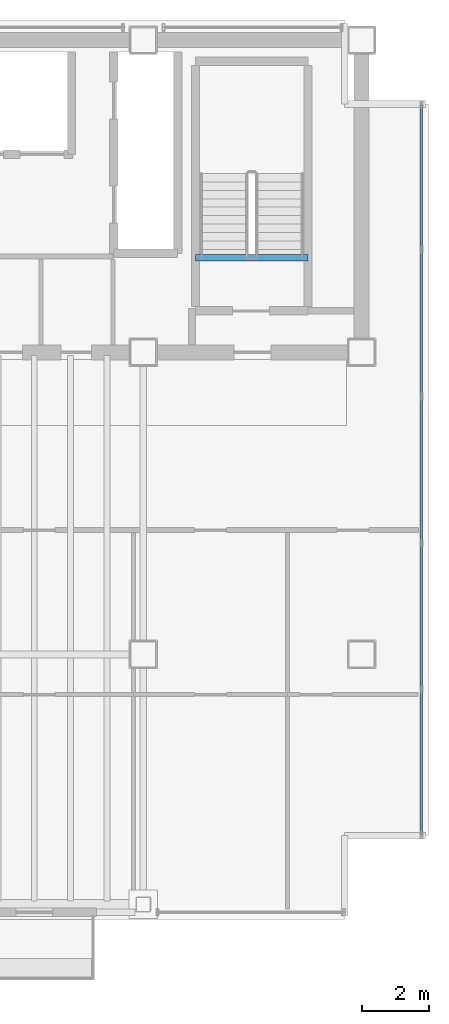
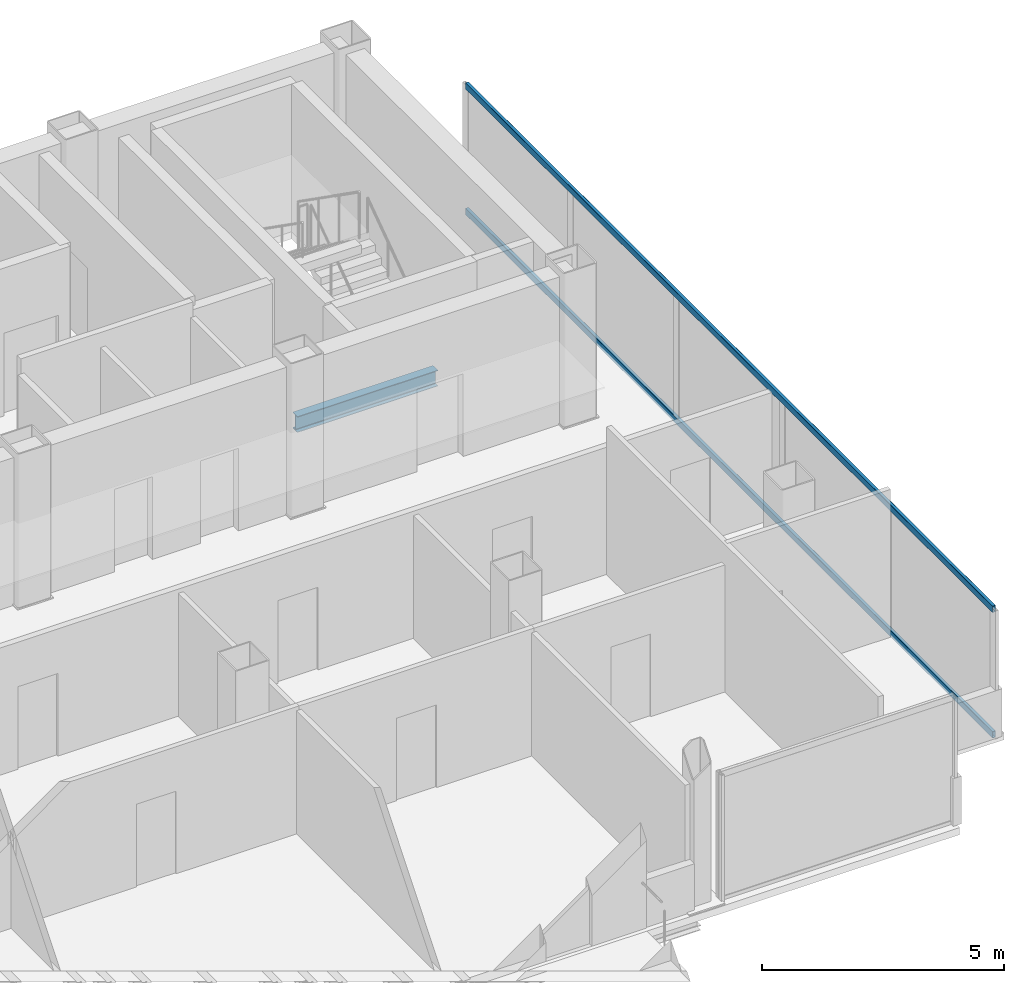
# One storey, part 11 of 17: 2 members, 1 beam, 1 element without a shape of its own.
"""IFC4 building model written with IfcOpenShell, lengths in metres."""

from ifc_helpers import new_model, si_unit, direction, frame, origin, origin_2d, place, context, subcontext, project, spatial, hollow_rectangle, i_section, extrude, material, material_profile, profile_set, type_object, element, aggregate, save


model = new_model("IFC4")

# Units and contexts
model_context = context("Model", 3, precision=1e-05, world=origin(), true_north=direction((0.0, 1.0)))
body_context = subcontext(model_context, "Body", "Model", "MODEL_VIEW")
ifc_project = project(units=[si_unit("LENGTHUNIT", "METRE"), si_unit("AREAUNIT", "SQUARE_METRE"), si_unit("VOLUMEUNIT", "CUBIC_METRE"), si_unit("PLANEANGLEUNIT", "RADIAN"), si_unit("MASSUNIT", "GRAM", prefix="KILO")], contexts=[model_context])

# Site, building, storey
site_placement = place(None, origin())
site = spatial("IfcSite", under=ifc_project, at=site_placement, CompositionType="ELEMENT")
building_placement = place(site_placement, origin())
building = spatial("IfcBuilding", under=site, at=building_placement, Name="Noeulbin Bourse Tower", CompositionType="ELEMENT")
storey_placement = place(building_placement, frame((0.0, 0.0, 246.199951171875)))
storey = spatial("IfcBuildingStorey", under=building, at=storey_placement, Name="L61", CompositionType="ELEMENT", Elevation=246.199951171875)

# Beam
ifc_material_1 = material(Name="Steel S355", Category="steel")
ifc_material_profile_1 = material_profile(ifc_material_1, i_section(OverallWidth=0.199951171875, OverallDepth=0.39990234375, WebThickness=0.008056640625, FlangeThickness=0.012939453125, FilletRadius=0.01611328125, at=origin_2d()), Name="H-400x200x8x13", Category="LoadBearing")
ifc_profile_set_1 = profile_set([ifc_material_profile_1], Name="Steel S355")
beam_type = type_object("IfcBeamType", Name="BM-SEC-400", PredefinedType="BEAM", material=ifc_profile_set_1)
beam_placement = place(storey_placement, frame((39.06005859375, 31.820068359375, -0.199951171875), z_axis=(1.0, 0.0, 0.0), x_axis=(0.0, 1.0, 0.0)))
element("IfcBeam", 1, at=beam_placement, inside=storey, type_object=beam_type, Name="Stair Threshold Trimmer Beam ST2-L61", PredefinedType="BEAM", context=body_context, shape_type="SweptSolid", body=[
    extrude(i_section(OverallWidth=0.199951171875, OverallDepth=0.39990234375, WebThickness=0.008056640625, FlangeThickness=0.012939453125, FilletRadius=0.01611328125, at=origin_2d()), origin(), (0.0, 0.0, 1.0), 3.33984375),
])

# Curtain wall, members
ifc_material_2 = material(Name="High-Selectivity Low-Iron Glazing", Category="glass")
curtain_wall_type = type_object("IfcCurtainWallType", Name="CW-SYS-4", PredefinedType="NOTDEFINED", material=ifc_material_2)
curtain_wall_placement = place(storey_placement, origin())
curtain_wall = element("IfcCurtainWall", 2, at=curtain_wall_placement, inside=storey, type_object=curtain_wall_type, Name="Unitised Curtain Wall CW-L61-E", PredefinedType="NOTDEFINED")
ifc_material_3 = material(Name="Anodised Aluminium 6063-T6", Category="aluminium")
ifc_material_profile_2 = material_profile(ifc_material_3, hollow_rectangle(XDim=0.074951171875, YDim=0.159912109375, WallThickness=0.0048828125, InnerFilletRadius=0.00244140625, OuterFilletRadius=0.0048828125, at=origin_2d()), Name="ALU-TRAN-75x160x5", Category="LoadBearing")
ifc_profile_set_2 = profile_set([ifc_material_profile_2], Name="Anodised Aluminium 6063-T6")
member_type = type_object("IfcMemberType", Name="CW-SYS-4-TRN", PredefinedType="USERDEFINED", material=ifc_profile_set_2)
member_1_placement = place(storey_placement, frame((45.780029296875, 14.6298828125, 0.010009765625), z_axis=(0.0, 1.0, 0.0), x_axis=(-1.0, 0.0, 0.0)))
member_1 = element("IfcMember", 3, at=member_1_placement, type_object=member_type, Name="Curtain Wall Transom CW-L61-E-T00", ObjectType="TRANSOM", PredefinedType="USERDEFINED", context=body_context, shape_type="SweptSolid", body=[
    extrude(hollow_rectangle(XDim=0.074951171875, YDim=0.159912109375, WallThickness=0.0048828125, InnerFilletRadius=0.00244140625, OuterFilletRadius=0.0048828125, at=origin_2d()), origin(), (0.0, 0.0, 1.0), 21.740234375),
])
member_2_placement = place(storey_placement, frame((45.780029296875, 14.6298828125, 3.170166015625), z_axis=(0.0, 1.0, 0.0), x_axis=(-1.0, 0.0, 0.0)))
member_2 = element("IfcMember", 4, at=member_2_placement, type_object=member_type, Name="Curtain Wall Transom CW-L61-E-T01", ObjectType="TRANSOM", PredefinedType="USERDEFINED", context=body_context, shape_type="SweptSolid", body=[
    extrude(hollow_rectangle(XDim=0.074951171875, YDim=0.159912109375, WallThickness=0.0048828125, InnerFilletRadius=0.00244140625, OuterFilletRadius=0.0048828125, at=origin_2d()), origin(), (0.0, 0.0, 1.0), 21.740234375),
])
aggregate(curtain_wall, [member_1, member_2])

save(model, "model.ifc")
